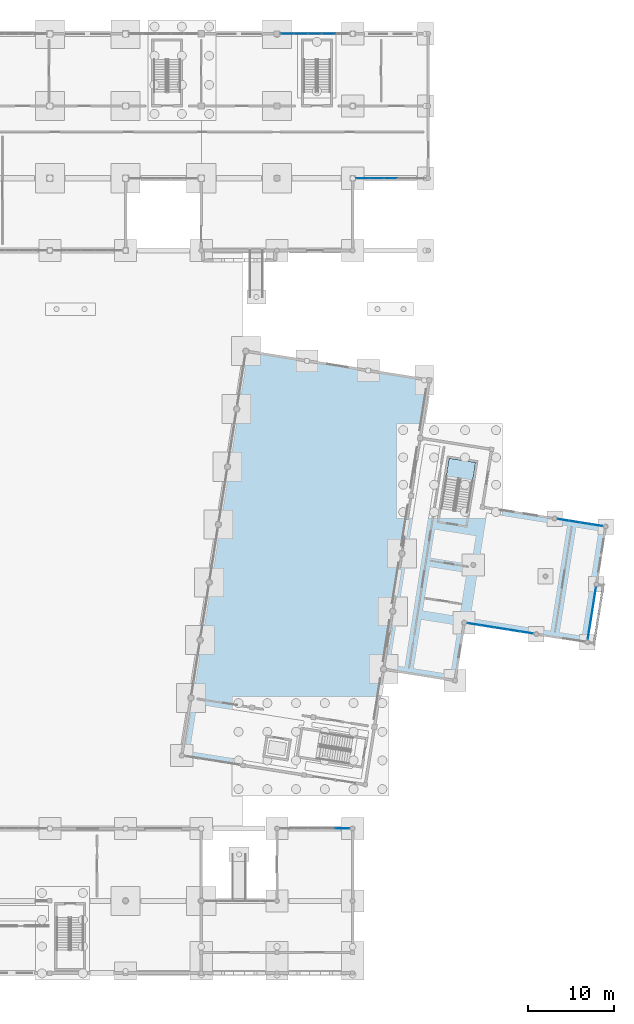
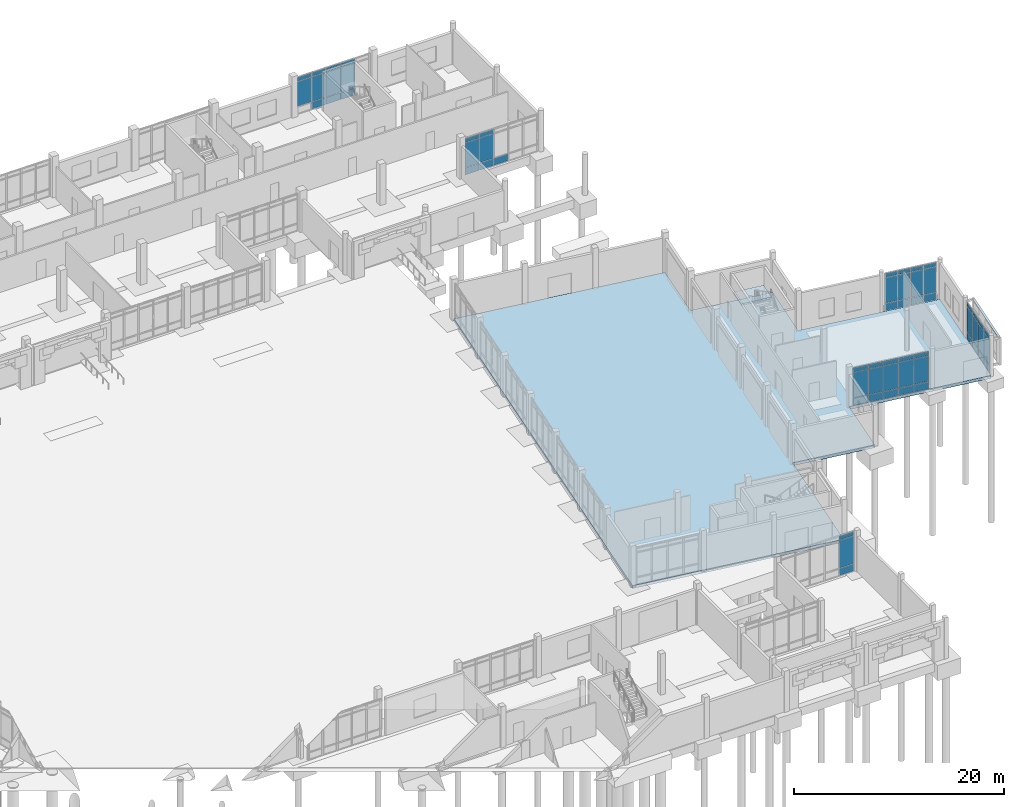
# One storey, part 39 of 72: 61 plates, 2 slabs, 7 elements without a shape of their own.
"""IFC4 building model written with IfcOpenShell, lengths in metres."""

from ifc_helpers import new_model, si_unit, direction, frame, origin, origin_2d, place, context, subcontext, project, spatial, polyline, rectangle, outline, extrude, material, layer, layer_set, type_object, element, aggregate, save


model = new_model("IFC4")

# Units and contexts
model_context = context("Model", 3, precision=1e-05, world=origin(), true_north=direction((0.0, 1.0)))
body_context = subcontext(model_context, "Body", "Model", "MODEL_VIEW")
ifc_project = project(units=[si_unit("LENGTHUNIT", "METRE"), si_unit("AREAUNIT", "SQUARE_METRE"), si_unit("VOLUMEUNIT", "CUBIC_METRE"), si_unit("PLANEANGLEUNIT", "RADIAN"), si_unit("MASSUNIT", "GRAM", prefix="KILO")], contexts=[model_context])

# Site, building, storey
site_placement = place(None, origin())
site = spatial("IfcSite", under=ifc_project, at=site_placement, CompositionType="ELEMENT")
building_placement = place(site_placement, origin())
building = spatial("IfcBuilding", under=site, at=building_placement, Name="Cinderway Yard Community Centre", CompositionType="ELEMENT")
storey_placement = place(building_placement, origin())
storey = spatial("IfcBuildingStorey", under=building, at=storey_placement, Name="L00", CompositionType="ELEMENT", Elevation=0.0)

# Curtain wall, plates
ifc_material_1 = material(Name="Aluminium 6063-T6", Category="aluminium")
curtain_wall_type_1 = type_object("IfcCurtainWallType", Name="ENV-CW-TYPE-20", PredefinedType="USERDEFINED", material=ifc_material_1)
curtain_wall_1_placement = place(storey_placement, origin())
curtain_wall_1 = element("IfcCurtainWall", 1, at=curtain_wall_1_placement, inside=storey, type_object=curtain_wall_type_1, Name="East Entrance Pavilion Curtain Wall ENV-CW-L00-ST-0069", ObjectType="GLAZED CURTAIN WALL", PredefinedType="USERDEFINED")
ifc_material_2 = material(Name="Laminated Low-E Glass", Category="glass")
ifc_layer_1 = layer(ifc_material_2, 0.028076171875, Name="Laminated Low-E Glass")
ifc_layer_set_1 = layer_set([ifc_layer_1], Name="Laminated Low-E Glass")
plate_type_1 = type_object("IfcPlateType", Name="ENV-CW-PAN-IGU28", PredefinedType="CURTAIN_PANEL", material=ifc_layer_set_1)
plate_1_placement = place(storey_placement, frame((150.88916015625, 46.560546875, 0.06005859375), z_axis=(0.0, 0.0, 1.0), x_axis=(0.987692177817, -0.156410235851, 0.0)))
plate_1 = element("IfcPlate", 2, at=plate_1_placement, type_object=plate_type_1, Name="CW-20 panel 1.1", PredefinedType="CURTAIN_PANEL", context=body_context, shape_type="SweptSolid", body=[
    extrude(rectangle(XDim=1.469970703125, YDim=0.028076171875, at=origin_2d()), origin(), (0.0, 0.0, 1.0), 0.81005859375),
])
plate_2_placement = place(storey_placement, frame((150.88916015625, 46.560546875, 0.929931640625), z_axis=(0.0, 0.0, 1.0), x_axis=(0.987692177817, -0.156410235851, 0.0)))
plate_2 = element("IfcPlate", 3, at=plate_2_placement, type_object=plate_type_1, Name="CW-20 panel 1.2", PredefinedType="CURTAIN_PANEL", context=body_context, shape_type="SweptSolid", body=[
    extrude(rectangle(XDim=1.469970703125, YDim=0.028076171875, at=origin_2d()), origin(), (0.0, 0.0, 1.0), 2.93994140625),
])
plate_3_placement = place(storey_placement, frame((150.88916015625, 46.560546875, 3.929931640625), z_axis=(0.0, 0.0, 1.0), x_axis=(0.987692177817, -0.156410235851, 0.0)))
plate_3 = element("IfcPlate", 4, at=plate_3_placement, type_object=plate_type_1, Name="CW-20 panel 1.3", PredefinedType="CURTAIN_PANEL", context=body_context, shape_type="SweptSolid", body=[
    extrude(rectangle(XDim=1.469970703125, YDim=0.028076171875, at=origin_2d()), origin(), (0.0, 0.0, 1.0), 0.4599609375),
])
plate_4_placement = place(storey_placement, frame((152.415283203125, 46.319091796875, 0.06005859375), z_axis=(0.0, 0.0, 1.0), x_axis=(0.987692177817, -0.156410235851, 0.0)))
plate_4 = element("IfcPlate", 5, at=plate_4_placement, type_object=plate_type_1, Name="CW-20 panel 2.1", PredefinedType="CURTAIN_PANEL", context=body_context, shape_type="SweptSolid", body=[
    extrude(rectangle(XDim=1.5, YDim=0.028076171875, at=origin_2d()), origin(), (0.0, 0.0, 1.0), 0.81005859375),
])
plate_5_placement = place(storey_placement, frame((152.415283203125, 46.319091796875, 0.929931640625), z_axis=(0.0, 0.0, 1.0), x_axis=(0.987692177817, -0.156410235851, 0.0)))
plate_5 = element("IfcPlate", 6, at=plate_5_placement, type_object=plate_type_1, Name="CW-20 panel 2.2", PredefinedType="CURTAIN_PANEL", context=body_context, shape_type="SweptSolid", body=[
    extrude(rectangle(XDim=1.5, YDim=0.028076171875, at=origin_2d()), origin(), (0.0, 0.0, 1.0), 2.93994140625),
])
plate_6_placement = place(storey_placement, frame((152.415283203125, 46.319091796875, 3.929931640625), z_axis=(0.0, 0.0, 1.0), x_axis=(0.987692177817, -0.156410235851, 0.0)))
plate_6 = element("IfcPlate", 7, at=plate_6_placement, type_object=plate_type_1, Name="CW-20 panel 2.3", PredefinedType="CURTAIN_PANEL", context=body_context, shape_type="SweptSolid", body=[
    extrude(rectangle(XDim=1.5, YDim=0.028076171875, at=origin_2d()), origin(), (0.0, 0.0, 1.0), 0.4599609375),
])
plate_7_placement = place(storey_placement, frame((153.9560546875, 46.074951171875, 0.06005859375), z_axis=(0.0, 0.0, 1.0), x_axis=(0.987692177817, -0.156410235851, 0.0)))
plate_7 = element("IfcPlate", 8, at=plate_7_placement, type_object=plate_type_1, Name="CW-20 panel 3.1", PredefinedType="CURTAIN_PANEL", context=body_context, shape_type="SweptSolid", body=[
    extrude(rectangle(XDim=1.5, YDim=0.028076171875, at=origin_2d()), origin(), (0.0, 0.0, 1.0), 0.81005859375),
])
plate_8_placement = place(storey_placement, frame((153.9560546875, 46.074951171875, 0.929931640625), z_axis=(0.0, 0.0, 1.0), x_axis=(0.987692177817, -0.156410235851, 0.0)))
plate_8 = element("IfcPlate", 9, at=plate_8_placement, type_object=plate_type_1, Name="CW-20 panel 3.2", PredefinedType="CURTAIN_PANEL", context=body_context, shape_type="SweptSolid", body=[
    extrude(rectangle(XDim=1.5, YDim=0.028076171875, at=origin_2d()), origin(), (0.0, 0.0, 1.0), 2.93994140625),
])
plate_9_placement = place(storey_placement, frame((153.9560546875, 46.074951171875, 3.929931640625), z_axis=(0.0, 0.0, 1.0), x_axis=(0.987692177817, -0.156410235851, 0.0)))
plate_9 = element("IfcPlate", 10, at=plate_9_placement, type_object=plate_type_1, Name="CW-20 panel 3.3", PredefinedType="CURTAIN_PANEL", context=body_context, shape_type="SweptSolid", body=[
    extrude(rectangle(XDim=1.5, YDim=0.028076171875, at=origin_2d()), origin(), (0.0, 0.0, 1.0), 0.4599609375),
])
plate_10_placement = place(storey_placement, frame((155.496826171875, 45.8310546875, 0.06005859375), z_axis=(0.0, 0.0, 1.0), x_axis=(0.987692177817, -0.156410235851, 0.0)))
plate_10 = element("IfcPlate", 11, at=plate_10_placement, type_object=plate_type_1, Name="CW-20 panel 4.1", PredefinedType="CURTAIN_PANEL", context=body_context, shape_type="SweptSolid", body=[
    extrude(rectangle(XDim=1.5, YDim=0.028076171875, at=origin_2d()), origin(), (0.0, 0.0, 1.0), 0.81005859375),
])
plate_11_placement = place(storey_placement, frame((155.496826171875, 45.8310546875, 0.929931640625), z_axis=(0.0, 0.0, 1.0), x_axis=(0.987692177817, -0.156410235851, 0.0)))
plate_11 = element("IfcPlate", 12, at=plate_11_placement, type_object=plate_type_1, Name="CW-20 panel 4.2", PredefinedType="CURTAIN_PANEL", context=body_context, shape_type="SweptSolid", body=[
    extrude(rectangle(XDim=1.5, YDim=0.028076171875, at=origin_2d()), origin(), (0.0, 0.0, 1.0), 2.93994140625),
])
plate_12_placement = place(storey_placement, frame((155.496826171875, 45.8310546875, 3.929931640625), z_axis=(0.0, 0.0, 1.0), x_axis=(0.987692177817, -0.156410235851, 0.0)))
plate_12 = element("IfcPlate", 13, at=plate_12_placement, type_object=plate_type_1, Name="CW-20 panel 4.3", PredefinedType="CURTAIN_PANEL", context=body_context, shape_type="SweptSolid", body=[
    extrude(rectangle(XDim=1.5, YDim=0.028076171875, at=origin_2d()), origin(), (0.0, 0.0, 1.0), 0.4599609375),
])
plate_13_placement = place(storey_placement, frame((157.022705078125, 45.58935546875, 0.06005859375), z_axis=(0.0, 0.0, 1.0), x_axis=(0.987692177817, -0.156410235851, 0.0)))
plate_13 = element("IfcPlate", 14, at=plate_13_placement, type_object=plate_type_1, Name="CW-20 panel 5.1", PredefinedType="CURTAIN_PANEL", context=body_context, shape_type="SweptSolid", body=[
    extrude(rectangle(XDim=1.469970703125, YDim=0.028076171875, at=origin_2d()), origin(), (0.0, 0.0, 1.0), 0.81005859375),
])
plate_14_placement = place(storey_placement, frame((157.022705078125, 45.58935546875, 0.929931640625), z_axis=(0.0, 0.0, 1.0), x_axis=(0.987692177817, -0.156410235851, 0.0)))
plate_14 = element("IfcPlate", 15, at=plate_14_placement, type_object=plate_type_1, Name="CW-20 panel 5.2", PredefinedType="CURTAIN_PANEL", context=body_context, shape_type="SweptSolid", body=[
    extrude(rectangle(XDim=1.469970703125, YDim=0.028076171875, at=origin_2d()), origin(), (0.0, 0.0, 1.0), 2.93994140625),
])
plate_15_placement = place(storey_placement, frame((157.022705078125, 45.58935546875, 3.929931640625), z_axis=(0.0, 0.0, 1.0), x_axis=(0.987692177817, -0.156410235851, 0.0)))
plate_15 = element("IfcPlate", 16, at=plate_15_placement, type_object=plate_type_1, Name="CW-20 panel 5.3", PredefinedType="CURTAIN_PANEL", context=body_context, shape_type="SweptSolid", body=[
    extrude(rectangle(XDim=1.469970703125, YDim=0.028076171875, at=origin_2d()), origin(), (0.0, 0.0, 1.0), 0.4599609375),
])
aggregate(curtain_wall_1, [plate_1, plate_2, plate_3, plate_4, plate_5, plate_6, plate_7, plate_8, plate_9, plate_10, plate_11, plate_12, plate_13, plate_14, plate_15])

curtain_wall_type_2 = type_object("IfcCurtainWallType", Name="ENV-CW-TYPE-21", PredefinedType="USERDEFINED", material=ifc_material_1)
curtain_wall_2_placement = place(storey_placement, origin())
curtain_wall_2 = element("IfcCurtainWall", 17, at=curtain_wall_2_placement, inside=storey, type_object=curtain_wall_type_2, Name="East Entrance Pavilion Curtain Wall ENV-CW-L00-ST-0070", ObjectType="GLAZED CURTAIN WALL", PredefinedType="USERDEFINED")
plate_16_placement = place(storey_placement, frame((164.25634765625, 45.5849609375, 0.06005859375), z_axis=(0.0, 0.0, 1.0), x_axis=(0.156231956025, 0.987720393592, 0.0)))
plate_16 = element("IfcPlate", 18, at=plate_16_placement, type_object=plate_type_1, Name="CW-21 panel 1.1", PredefinedType="CURTAIN_PANEL", context=body_context, shape_type="SweptSolid", body=[
    extrude(rectangle(XDim=1.43505859375, YDim=0.028076171875, at=origin_2d()), origin(), (0.0, 0.0, 1.0), 0.81005859375),
])
plate_17_placement = place(storey_placement, frame((164.25634765625, 45.5849609375, 0.929931640625), z_axis=(0.0, 0.0, 1.0), x_axis=(0.156231956025, 0.987720393592, 0.0)))
plate_17 = element("IfcPlate", 19, at=plate_17_placement, type_object=plate_type_1, Name="CW-21 panel 1.2", PredefinedType="CURTAIN_PANEL", context=body_context, shape_type="SweptSolid", body=[
    extrude(rectangle(XDim=1.43505859375, YDim=0.028076171875, at=origin_2d()), origin(), (0.0, 0.0, 1.0), 2.93994140625),
])
plate_18_placement = place(storey_placement, frame((164.25634765625, 45.5849609375, 3.929931640625), z_axis=(0.0, 0.0, 1.0), x_axis=(0.156231956025, 0.987720393592, 0.0)))
plate_18 = element("IfcPlate", 20, at=plate_18_placement, type_object=plate_type_1, Name="CW-21 panel 1.3", PredefinedType="CURTAIN_PANEL", context=body_context, shape_type="SweptSolid", body=[
    extrude(rectangle(XDim=1.43505859375, YDim=0.028076171875, at=origin_2d()), origin(), (0.0, 0.0, 1.0), 0.4599609375),
])
plate_19_placement = place(storey_placement, frame((164.492431640625, 47.076416015625, 0.06005859375), z_axis=(0.0, 0.0, 1.0), x_axis=(0.156231956025, 0.987720393592, 0.0)))
plate_19 = element("IfcPlate", 21, at=plate_19_placement, type_object=plate_type_1, Name="CW-21 panel 2.1", PredefinedType="CURTAIN_PANEL", context=body_context, shape_type="SweptSolid", body=[
    extrude(rectangle(XDim=1.465087890625, YDim=0.028076171875, at=origin_2d()), origin(), (0.0, 0.0, 1.0), 0.81005859375),
])
plate_20_placement = place(storey_placement, frame((164.492431640625, 47.076416015625, 0.929931640625), z_axis=(0.0, 0.0, 1.0), x_axis=(0.156231956025, 0.987720393592, 0.0)))
plate_20 = element("IfcPlate", 22, at=plate_20_placement, type_object=plate_type_1, Name="CW-21 panel 2.2", PredefinedType="CURTAIN_PANEL", context=body_context, shape_type="SweptSolid", body=[
    extrude(rectangle(XDim=1.465087890625, YDim=0.028076171875, at=origin_2d()), origin(), (0.0, 0.0, 1.0), 2.93994140625),
])
plate_21_placement = place(storey_placement, frame((164.492431640625, 47.076416015625, 3.929931640625), z_axis=(0.0, 0.0, 1.0), x_axis=(0.156231956025, 0.987720393592, 0.0)))
plate_21 = element("IfcPlate", 23, at=plate_21_placement, type_object=plate_type_1, Name="CW-21 panel 2.3", PredefinedType="CURTAIN_PANEL", context=body_context, shape_type="SweptSolid", body=[
    extrude(rectangle(XDim=1.465087890625, YDim=0.028076171875, at=origin_2d()), origin(), (0.0, 0.0, 1.0), 0.4599609375),
])
plate_22_placement = place(storey_placement, frame((164.730712890625, 48.58251953125, 0.06005859375), z_axis=(0.0, 0.0, 1.0), x_axis=(0.156231956025, 0.987720393592, 0.0)))
plate_22 = element("IfcPlate", 24, at=plate_22_placement, type_object=plate_type_1, Name="CW-21 panel 3.1", PredefinedType="CURTAIN_PANEL", context=body_context, shape_type="SweptSolid", body=[
    extrude(rectangle(XDim=1.465087890625, YDim=0.028076171875, at=origin_2d()), origin(), (0.0, 0.0, 1.0), 0.81005859375),
])
plate_23_placement = place(storey_placement, frame((164.730712890625, 48.58251953125, 0.929931640625), z_axis=(0.0, 0.0, 1.0), x_axis=(0.156231956025, 0.987720393592, 0.0)))
plate_23 = element("IfcPlate", 25, at=plate_23_placement, type_object=plate_type_1, Name="CW-21 panel 3.2", PredefinedType="CURTAIN_PANEL", context=body_context, shape_type="SweptSolid", body=[
    extrude(rectangle(XDim=1.465087890625, YDim=0.028076171875, at=origin_2d()), origin(), (0.0, 0.0, 1.0), 2.93994140625),
])
plate_24_placement = place(storey_placement, frame((164.730712890625, 48.58251953125, 3.929931640625), z_axis=(0.0, 0.0, 1.0), x_axis=(0.156231956025, 0.987720393592, 0.0)))
plate_24 = element("IfcPlate", 26, at=plate_24_placement, type_object=plate_type_1, Name="CW-21 panel 3.3", PredefinedType="CURTAIN_PANEL", context=body_context, shape_type="SweptSolid", body=[
    extrude(rectangle(XDim=1.465087890625, YDim=0.028076171875, at=origin_2d()), origin(), (0.0, 0.0, 1.0), 0.4599609375),
])
plate_25_placement = place(storey_placement, frame((164.966552734375, 50.073974609375, 0.06005859375), z_axis=(0.0, 0.0, 1.0), x_axis=(0.156231956025, 0.987720393592, 0.0)))
plate_25 = element("IfcPlate", 27, at=plate_25_placement, type_object=plate_type_1, Name="CW-21 panel 4.1", PredefinedType="CURTAIN_PANEL", context=body_context, shape_type="SweptSolid", body=[
    extrude(rectangle(XDim=1.43505859375, YDim=0.028076171875, at=origin_2d()), origin(), (0.0, 0.0, 1.0), 0.81005859375),
])
plate_26_placement = place(storey_placement, frame((164.966552734375, 50.073974609375, 0.929931640625), z_axis=(0.0, 0.0, 1.0), x_axis=(0.156231956025, 0.987720393592, 0.0)))
plate_26 = element("IfcPlate", 28, at=plate_26_placement, type_object=plate_type_1, Name="CW-21 panel 4.2", PredefinedType="CURTAIN_PANEL", context=body_context, shape_type="SweptSolid", body=[
    extrude(rectangle(XDim=1.43505859375, YDim=0.028076171875, at=origin_2d()), origin(), (0.0, 0.0, 1.0), 2.93994140625),
])
plate_27_placement = place(storey_placement, frame((164.966552734375, 50.073974609375, 3.929931640625), z_axis=(0.0, 0.0, 1.0), x_axis=(0.156231956025, 0.987720393592, 0.0)))
plate_27 = element("IfcPlate", 29, at=plate_27_placement, type_object=plate_type_1, Name="CW-21 panel 4.3", PredefinedType="CURTAIN_PANEL", context=body_context, shape_type="SweptSolid", body=[
    extrude(rectangle(XDim=1.43505859375, YDim=0.028076171875, at=origin_2d()), origin(), (0.0, 0.0, 1.0), 0.4599609375),
])
aggregate(curtain_wall_2, [plate_16, plate_17, plate_18, plate_19, plate_20, plate_21, plate_22, plate_23, plate_24, plate_25, plate_26, plate_27])

curtain_wall_type_3 = type_object("IfcCurtainWallType", Name="ENV-CW-TYPE-22", PredefinedType="USERDEFINED", material=ifc_material_1)
curtain_wall_3_placement = place(storey_placement, origin())
curtain_wall_3 = element("IfcCurtainWall", 30, at=curtain_wall_3_placement, inside=storey, type_object=curtain_wall_type_3, Name="East Entrance Pavilion Curtain Wall ENV-CW-L00-ST-0071", ObjectType="GLAZED CURTAIN WALL", PredefinedType="USERDEFINED")
plate_28_placement = place(storey_placement, frame((161.296142578125, 58.68115234375, 0.06005859375), z_axis=(0.0, 0.0, 1.0), x_axis=(0.987717019702, -0.156253284735, 0.0)))
plate_28 = element("IfcPlate", 31, at=plate_28_placement, type_object=plate_type_1, Name="CW-22 panel 1.1", PredefinedType="CURTAIN_PANEL", context=body_context, shape_type="SweptSolid", body=[
    extrude(rectangle(XDim=1.23486328125, YDim=0.028076171875, at=origin_2d()), origin(), (0.0, 0.0, 1.0), 0.81005859375),
])
plate_29_placement = place(storey_placement, frame((161.296142578125, 58.68115234375, 0.929931640625), z_axis=(0.0, 0.0, 1.0), x_axis=(0.987717019702, -0.156253284735, 0.0)))
plate_29 = element("IfcPlate", 32, at=plate_29_placement, type_object=plate_type_1, Name="CW-22 panel 1.2", PredefinedType="CURTAIN_PANEL", context=body_context, shape_type="SweptSolid", body=[
    extrude(rectangle(XDim=1.23486328125, YDim=0.028076171875, at=origin_2d()), origin(), (0.0, 0.0, 1.0), 2.93994140625),
])
plate_30_placement = place(storey_placement, frame((161.296142578125, 58.68115234375, 3.929931640625), z_axis=(0.0, 0.0, 1.0), x_axis=(0.987717019702, -0.156253284735, 0.0)))
plate_30 = element("IfcPlate", 33, at=plate_30_placement, type_object=plate_type_1, Name="CW-22 panel 1.3", PredefinedType="CURTAIN_PANEL", context=body_context, shape_type="SweptSolid", body=[
    extrude(rectangle(XDim=1.23486328125, YDim=0.028076171875, at=origin_2d()), origin(), (0.0, 0.0, 1.0), 0.4599609375),
])
plate_31_placement = place(storey_placement, frame((162.58984375, 58.4765625, 0.06005859375), z_axis=(0.0, 0.0, 1.0), x_axis=(0.987717019702, -0.156253284735, 0.0)))
plate_31 = element("IfcPlate", 34, at=plate_31_placement, type_object=plate_type_1, Name="CW-22 panel 2.1", PredefinedType="CURTAIN_PANEL", context=body_context, shape_type="SweptSolid", body=[
    extrude(rectangle(XDim=1.264892578125, YDim=0.028076171875, at=origin_2d()), origin(), (0.0, 0.0, 1.0), 0.81005859375),
])
plate_32_placement = place(storey_placement, frame((162.58984375, 58.4765625, 0.929931640625), z_axis=(0.0, 0.0, 1.0), x_axis=(0.987717019702, -0.156253284735, 0.0)))
plate_32 = element("IfcPlate", 35, at=plate_32_placement, type_object=plate_type_1, Name="CW-22 panel 2.2", PredefinedType="CURTAIN_PANEL", context=body_context, shape_type="SweptSolid", body=[
    extrude(rectangle(XDim=1.264892578125, YDim=0.028076171875, at=origin_2d()), origin(), (0.0, 0.0, 1.0), 2.93994140625),
])
plate_33_placement = place(storey_placement, frame((162.58984375, 58.4765625, 3.929931640625), z_axis=(0.0, 0.0, 1.0), x_axis=(0.987717019702, -0.156253284735, 0.0)))
plate_33 = element("IfcPlate", 36, at=plate_33_placement, type_object=plate_type_1, Name="CW-22 panel 2.3", PredefinedType="CURTAIN_PANEL", context=body_context, shape_type="SweptSolid", body=[
    extrude(rectangle(XDim=1.264892578125, YDim=0.028076171875, at=origin_2d()), origin(), (0.0, 0.0, 1.0), 0.4599609375),
])
plate_34_placement = place(storey_placement, frame((163.898193359375, 58.26953125, 0.06005859375), z_axis=(0.0, 0.0, 1.0), x_axis=(0.987717019702, -0.156253284735, 0.0)))
plate_34 = element("IfcPlate", 37, at=plate_34_placement, type_object=plate_type_1, Name="CW-22 panel 3.1", PredefinedType="CURTAIN_PANEL", context=body_context, shape_type="SweptSolid", body=[
    extrude(rectangle(XDim=1.264892578125, YDim=0.028076171875, at=origin_2d()), origin(), (0.0, 0.0, 1.0), 0.81005859375),
])
plate_35_placement = place(storey_placement, frame((163.898193359375, 58.26953125, 0.929931640625), z_axis=(0.0, 0.0, 1.0), x_axis=(0.987717019702, -0.156253284735, 0.0)))
plate_35 = element("IfcPlate", 38, at=plate_35_placement, type_object=plate_type_1, Name="CW-22 panel 3.2", PredefinedType="CURTAIN_PANEL", context=body_context, shape_type="SweptSolid", body=[
    extrude(rectangle(XDim=1.264892578125, YDim=0.028076171875, at=origin_2d()), origin(), (0.0, 0.0, 1.0), 2.93994140625),
])
plate_36_placement = place(storey_placement, frame((163.898193359375, 58.26953125, 3.929931640625), z_axis=(0.0, 0.0, 1.0), x_axis=(0.987717019702, -0.156253284735, 0.0)))
plate_36 = element("IfcPlate", 39, at=plate_36_placement, type_object=plate_type_1, Name="CW-22 panel 3.3", PredefinedType="CURTAIN_PANEL", context=body_context, shape_type="SweptSolid", body=[
    extrude(rectangle(XDim=1.264892578125, YDim=0.028076171875, at=origin_2d()), origin(), (0.0, 0.0, 1.0), 0.4599609375),
])
plate_37_placement = place(storey_placement, frame((165.19189453125, 58.06494140625, 0.06005859375), z_axis=(0.0, 0.0, 1.0), x_axis=(0.987717019702, -0.156253284735, 0.0)))
plate_37 = element("IfcPlate", 40, at=plate_37_placement, type_object=plate_type_1, Name="CW-22 panel 4.1", PredefinedType="CURTAIN_PANEL", context=body_context, shape_type="SweptSolid", body=[
    extrude(rectangle(XDim=1.23486328125, YDim=0.028076171875, at=origin_2d()), origin(), (0.0, 0.0, 1.0), 0.81005859375),
])
plate_38_placement = place(storey_placement, frame((165.19189453125, 58.06494140625, 0.929931640625), z_axis=(0.0, 0.0, 1.0), x_axis=(0.987717019702, -0.156253284735, 0.0)))
plate_38 = element("IfcPlate", 41, at=plate_38_placement, type_object=plate_type_1, Name="CW-22 panel 4.2", PredefinedType="CURTAIN_PANEL", context=body_context, shape_type="SweptSolid", body=[
    extrude(rectangle(XDim=1.23486328125, YDim=0.028076171875, at=origin_2d()), origin(), (0.0, 0.0, 1.0), 2.93994140625),
])
plate_39_placement = place(storey_placement, frame((165.19189453125, 58.06494140625, 3.929931640625), z_axis=(0.0, 0.0, 1.0), x_axis=(0.987717019702, -0.156253284735, 0.0)))
plate_39 = element("IfcPlate", 42, at=plate_39_placement, type_object=plate_type_1, Name="CW-22 panel 4.3", PredefinedType="CURTAIN_PANEL", context=body_context, shape_type="SweptSolid", body=[
    extrude(rectangle(XDim=1.23486328125, YDim=0.028076171875, at=origin_2d()), origin(), (0.0, 0.0, 1.0), 0.4599609375),
])
aggregate(curtain_wall_3, [plate_28, plate_29, plate_30, plate_31, plate_32, plate_33, plate_34, plate_35, plate_36, plate_37, plate_38, plate_39])

curtain_wall_type_4 = type_object("IfcCurtainWallType", Name="ENV-CW-TYPE-25", PredefinedType="USERDEFINED", material=ifc_material_1)
curtain_wall_4_placement = place(storey_placement, origin())
curtain_wall_4 = element("IfcCurtainWall", 43, at=curtain_wall_4_placement, inside=storey, type_object=curtain_wall_type_4, Name="V4 Courtyard Curtain Wall ENV-CW-L00-ST-0121", ObjectType="GLAZED CURTAIN WALL", PredefinedType="USERDEFINED")
plate_40_placement = place(storey_placement, frame((137.9990234375, 98.39990234375, 0.06005859375), z_axis=(0.0, 0.0, 1.0), x_axis=(1.0, 0.0, 0.0)))
plate_40 = element("IfcPlate", 44, at=plate_40_placement, type_object=plate_type_1, Name="CW-25 panel 1.1", PredefinedType="CURTAIN_PANEL", context=body_context, shape_type="SweptSolid", body=[
    extrude(rectangle(XDim=1.51806640625, YDim=0.028076171875, at=origin_2d()), origin(), (0.0, 0.0, 1.0), 0.81005859375),
])
plate_41_placement = place(storey_placement, frame((137.9990234375, 98.39990234375, 0.93017578125), z_axis=(0.0, 0.0, 1.0), x_axis=(1.0, 0.0, 0.0)))
plate_41 = element("IfcPlate", 45, at=plate_41_placement, type_object=plate_type_1, Name="CW-25 panel 1.2", PredefinedType="CURTAIN_PANEL", context=body_context, shape_type="SweptSolid", body=[
    extrude(rectangle(XDim=1.51806640625, YDim=0.028076171875, at=origin_2d()), origin(), (0.0, 0.0, 1.0), 2.840087890625),
])
plate_42_placement = place(storey_placement, frame((137.9990234375, 98.39990234375, 3.830078125), z_axis=(0.0, 0.0, 1.0), x_axis=(1.0, 0.0, 0.0)))
plate_42 = element("IfcPlate", 46, at=plate_42_placement, type_object=plate_type_1, Name="CW-25 panel 1.3", PredefinedType="CURTAIN_PANEL", context=body_context, shape_type="SweptSolid", body=[
    extrude(rectangle(XDim=1.51806640625, YDim=0.028076171875, at=origin_2d()), origin(), (0.0, 0.0, 1.0), 0.4599609375),
])
plate_43_placement = place(storey_placement, frame((139.592041015625, 98.39990234375, 0.06005859375), z_axis=(0.0, 0.0, 1.0), x_axis=(1.0, 0.0, 0.0)))
plate_43 = element("IfcPlate", 47, at=plate_43_placement, type_object=plate_type_1, Name="CW-25 panel 2.1", PredefinedType="CURTAIN_PANEL", context=body_context, shape_type="SweptSolid", body=[
    extrude(rectangle(XDim=1.548095703125, YDim=0.028076171875, at=origin_2d()), origin(), (0.0, 0.0, 1.0), 0.81005859375),
])
plate_44_placement = place(storey_placement, frame((139.592041015625, 98.39990234375, 0.93017578125), z_axis=(0.0, 0.0, 1.0), x_axis=(1.0, 0.0, 0.0)))
plate_44 = element("IfcPlate", 48, at=plate_44_placement, type_object=plate_type_1, Name="CW-25 panel 2.2", PredefinedType="CURTAIN_PANEL", context=body_context, shape_type="SweptSolid", body=[
    extrude(rectangle(XDim=1.548095703125, YDim=0.028076171875, at=origin_2d()), origin(), (0.0, 0.0, 1.0), 2.840087890625),
])
plate_45_placement = place(storey_placement, frame((139.592041015625, 98.39990234375, 3.830078125), z_axis=(0.0, 0.0, 1.0), x_axis=(1.0, 0.0, 0.0)))
plate_45 = element("IfcPlate", 49, at=plate_45_placement, type_object=plate_type_1, Name="CW-25 panel 2.3", PredefinedType="CURTAIN_PANEL", context=body_context, shape_type="SweptSolid", body=[
    extrude(rectangle(XDim=1.548095703125, YDim=0.028076171875, at=origin_2d()), origin(), (0.0, 0.0, 1.0), 0.4599609375),
])
plate_46_placement = place(storey_placement, frame((141.199951171875, 98.39990234375, 0.06005859375), z_axis=(0.0, 0.0, 1.0), x_axis=(1.0, 0.0, 0.0)))
plate_46 = element("IfcPlate", 50, at=plate_46_placement, type_object=plate_type_1, Name="CW-25 panel 3.1", PredefinedType="CURTAIN_PANEL", context=body_context, shape_type="SweptSolid", body=[
    extrude(rectangle(XDim=1.548095703125, YDim=0.028076171875, at=origin_2d()), origin(), (0.0, 0.0, 1.0), 0.81005859375),
])
aggregate(curtain_wall_4, [plate_40, plate_41, plate_42, plate_43, plate_44, plate_45, plate_46])

curtain_wall_type_5 = type_object("IfcCurtainWallType", Name="ENV-CW-TYPE-35", PredefinedType="USERDEFINED", material=ifc_material_1)
curtain_wall_5_placement = place(storey_placement, origin())
curtain_wall_5 = element("IfcCurtainWall", 51, at=curtain_wall_5_placement, inside=storey, type_object=curtain_wall_type_5, Name="East Arcade Kiosk Curtain Wall ENV-CW-L00-ST-0199", ObjectType="GLAZED CURTAIN WALL", PredefinedType="USERDEFINED")
plate_47_placement = place(storey_placement, frame((135.625, 22.800048828125, 0.06005859375), z_axis=(0.0, 0.0, 1.0), x_axis=(1.0, 0.0, 0.0)))
plate_47 = element("IfcPlate", 52, at=plate_47_placement, type_object=plate_type_1, Name="CW-35 panel 5.1", PredefinedType="CURTAIN_PANEL", context=body_context, shape_type="SweptSolid", body=[
    extrude(rectangle(XDim=1.530029296875, YDim=0.028076171875, at=origin_2d()), origin(), (0.0, 0.0, 1.0), 0.81005859375),
])
plate_48_placement = place(storey_placement, frame((135.625, 22.800048828125, 0.929931640625), z_axis=(0.0, 0.0, 1.0), x_axis=(1.0, 0.0, 0.0)))
plate_48 = element("IfcPlate", 53, at=plate_48_placement, type_object=plate_type_1, Name="CW-35 panel 5.2", PredefinedType="CURTAIN_PANEL", context=body_context, shape_type="SweptSolid", body=[
    extrude(rectangle(XDim=1.530029296875, YDim=0.028076171875, at=origin_2d()), origin(), (0.0, 0.0, 1.0), 3.18994140625),
])
plate_49_placement = place(storey_placement, frame((135.625, 22.800048828125, 4.179931640625), z_axis=(0.0, 0.0, 1.0), x_axis=(1.0, 0.0, 0.0)))
plate_49 = element("IfcPlate", 54, at=plate_49_placement, type_object=plate_type_1, Name="CW-35 panel 5.3", PredefinedType="CURTAIN_PANEL", context=body_context, shape_type="SweptSolid", body=[
    extrude(rectangle(XDim=1.530029296875, YDim=0.028076171875, at=origin_2d()), origin(), (0.0, 0.0, 1.0), 0.4599609375),
])
aggregate(curtain_wall_5, [plate_47, plate_48, plate_49])

curtain_wall_6_placement = place(storey_placement, origin())
curtain_wall_6 = element("IfcCurtainWall", 55, at=curtain_wall_6_placement, inside=storey, type_object=curtain_wall_type_4, Name="V4 Street Curtain Wall ENV-CW-L00-HS-0120", ObjectType="GLAZED CURTAIN WALL", PredefinedType="USERDEFINED")
ifc_layer_2 = layer(ifc_material_2, 0.031982421875, Name="Laminated Low-E Glass")
ifc_layer_set_2 = layer_set([ifc_layer_2], Name="Laminated Low-E Glass")
plate_type_2 = type_object("IfcPlateType", Name="ENV-CW-PAN-IGU32", PredefinedType="CURTAIN_PANEL", material=ifc_layer_set_2)
plate_50_placement = place(storey_placement, frame((129.198974609375, 115.199951171875, 0.93017578125), z_axis=(0.0, 0.0, 1.0), x_axis=(1.0, 0.0, 0.0)))
plate_50 = element("IfcPlate", 56, at=plate_50_placement, type_object=plate_type_2, Name="CW-25 panel 1.2", PredefinedType="CURTAIN_PANEL", context=body_context, shape_type="SweptSolid", body=[
    extrude(rectangle(XDim=1.51806640625, YDim=0.028076171875, at=origin_2d()), origin(), (0.0, 0.0, 1.0), 2.840087890625),
])
plate_51_placement = place(storey_placement, frame((129.198974609375, 115.199951171875, 3.830078125), z_axis=(0.0, 0.0, 1.0), x_axis=(1.0, 0.0, 0.0)))
plate_51 = element("IfcPlate", 57, at=plate_51_placement, type_object=plate_type_2, Name="CW-25 panel 1.3", PredefinedType="CURTAIN_PANEL", context=body_context, shape_type="SweptSolid", body=[
    extrude(rectangle(XDim=1.51806640625, YDim=0.028076171875, at=origin_2d()), origin(), (0.0, 0.0, 1.0), 0.4599609375),
])
plate_52_placement = place(storey_placement, frame((130.7919921875, 115.199951171875, 0.06005859375), z_axis=(0.0, 0.0, 1.0), x_axis=(1.0, 0.0, 0.0)))
plate_52 = element("IfcPlate", 58, at=plate_52_placement, type_object=plate_type_2, Name="CW-25 panel 2.1", PredefinedType="CURTAIN_PANEL", context=body_context, shape_type="SweptSolid", body=[
    extrude(rectangle(XDim=1.548095703125, YDim=0.028076171875, at=origin_2d()), origin(), (0.0, 0.0, 1.0), 0.81005859375),
])
plate_53_placement = place(storey_placement, frame((130.7919921875, 115.199951171875, 0.93017578125), z_axis=(0.0, 0.0, 1.0), x_axis=(1.0, 0.0, 0.0)))
plate_53 = element("IfcPlate", 59, at=plate_53_placement, type_object=plate_type_2, Name="CW-25 panel 2.2", PredefinedType="CURTAIN_PANEL", context=body_context, shape_type="SweptSolid", body=[
    extrude(rectangle(XDim=1.548095703125, YDim=0.028076171875, at=origin_2d()), origin(), (0.0, 0.0, 1.0), 2.840087890625),
])
plate_54_placement = place(storey_placement, frame((130.7919921875, 115.199951171875, 3.830078125), z_axis=(0.0, 0.0, 1.0), x_axis=(1.0, 0.0, 0.0)))
plate_54 = element("IfcPlate", 60, at=plate_54_placement, type_object=plate_type_2, Name="CW-25 panel 2.3", PredefinedType="CURTAIN_PANEL", context=body_context, shape_type="SweptSolid", body=[
    extrude(rectangle(XDim=1.548095703125, YDim=0.028076171875, at=origin_2d()), origin(), (0.0, 0.0, 1.0), 0.4599609375),
])
plate_55_placement = place(storey_placement, frame((132.39990234375, 115.199951171875, 0.06005859375), z_axis=(0.0, 0.0, 1.0), x_axis=(1.0, 0.0, 0.0)))
plate_55 = element("IfcPlate", 61, at=plate_55_placement, type_object=plate_type_2, Name="CW-25 panel 3.1", PredefinedType="CURTAIN_PANEL", context=body_context, shape_type="SweptSolid", body=[
    extrude(rectangle(XDim=1.548095703125, YDim=0.028076171875, at=origin_2d()), origin(), (0.0, 0.0, 1.0), 0.81005859375),
])
plate_56_placement = place(storey_placement, frame((132.39990234375, 115.199951171875, 0.93017578125), z_axis=(0.0, 0.0, 1.0), x_axis=(1.0, 0.0, 0.0)))
plate_56 = element("IfcPlate", 62, at=plate_56_placement, type_object=plate_type_2, Name="CW-25 panel 3.2", PredefinedType="CURTAIN_PANEL", context=body_context, shape_type="SweptSolid", body=[
    extrude(rectangle(XDim=1.548095703125, YDim=0.028076171875, at=origin_2d()), origin(), (0.0, 0.0, 1.0), 2.840087890625),
])
plate_57_placement = place(storey_placement, frame((132.39990234375, 115.199951171875, 3.830078125), z_axis=(0.0, 0.0, 1.0), x_axis=(1.0, 0.0, 0.0)))
plate_57 = element("IfcPlate", 63, at=plate_57_placement, type_object=plate_type_2, Name="CW-25 panel 3.3", PredefinedType="CURTAIN_PANEL", context=body_context, shape_type="SweptSolid", body=[
    extrude(rectangle(XDim=1.548095703125, YDim=0.028076171875, at=origin_2d()), origin(), (0.0, 0.0, 1.0), 0.4599609375),
])
plate_58_placement = place(storey_placement, frame((134.008056640625, 115.199951171875, 0.06005859375), z_axis=(0.0, 0.0, 1.0), x_axis=(1.0, 0.0, 0.0)))
plate_58 = element("IfcPlate", 64, at=plate_58_placement, type_object=plate_type_2, Name="CW-25 panel 4.1", PredefinedType="CURTAIN_PANEL", context=body_context, shape_type="SweptSolid", body=[
    extrude(rectangle(XDim=1.548095703125, YDim=0.028076171875, at=origin_2d()), origin(), (0.0, 0.0, 1.0), 0.81005859375),
])
plate_59_placement = place(storey_placement, frame((134.008056640625, 115.199951171875, 0.93017578125), z_axis=(0.0, 0.0, 1.0), x_axis=(1.0, 0.0, 0.0)))
plate_59 = element("IfcPlate", 65, at=plate_59_placement, type_object=plate_type_2, Name="CW-25 panel 4.2", PredefinedType="CURTAIN_PANEL", context=body_context, shape_type="SweptSolid", body=[
    extrude(rectangle(XDim=1.548095703125, YDim=0.028076171875, at=origin_2d()), origin(), (0.0, 0.0, 1.0), 2.840087890625),
])
plate_60_placement = place(storey_placement, frame((134.008056640625, 115.199951171875, 3.830078125), z_axis=(0.0, 0.0, 1.0), x_axis=(1.0, 0.0, 0.0)))
plate_60 = element("IfcPlate", 66, at=plate_60_placement, type_object=plate_type_2, Name="CW-25 panel 4.3", PredefinedType="CURTAIN_PANEL", context=body_context, shape_type="SweptSolid", body=[
    extrude(rectangle(XDim=1.548095703125, YDim=0.028076171875, at=origin_2d()), origin(), (0.0, 0.0, 1.0), 0.4599609375),
])
aggregate(curtain_wall_6, [plate_50, plate_51, plate_52, plate_53, plate_54, plate_55, plate_56, plate_57, plate_58, plate_59, plate_60])

# Plate
ifc_layer_3 = layer(ifc_material_1, 0.01611328125, Name="Aluminium 6063-T6")
ifc_layer_set_3 = layer_set([ifc_layer_3], Name="Aluminium 6063-T6")
plate_type_3 = type_object("IfcPlateType", Name="ENV-PLT-FASCIA16", PredefinedType="USERDEFINED", material=ifc_layer_set_3)
plate_61_placement = place(storey_placement, frame((165.40087890625, 47.7041015625, 4.31201171875), z_axis=(0.0, 0.0, 1.0), x_axis=(-0.15643446504, -0.987688340595, 0.0)))
element("IfcPlate", 67, at=plate_61_placement, inside=storey, type_object=plate_type_3, Name="Screen coping fascia 0148", ObjectType="FASCIA PLATE", PredefinedType="USERDEFINED", context=body_context, shape_type="SweptSolid", body=[
    extrude(rectangle(XDim=6.700927734375, YDim=0.260009765625, at=origin_2d()), origin(), (0.0, 0.0, 1.0), 0.01611328125),
])

# Stair, slab
ifc_material_3 = material(Name="Concrete C40/50", Category="concrete")
stair_type = type_object("IfcStairType", Name="INT-STR-480B", PredefinedType="HALF_TURN_STAIR", material=ifc_material_3)
stair_placement = place(storey_placement, origin())
stair = element("IfcStair", 68, at=stair_placement, inside=storey, type_object=stair_type, Name="L00 Core C4B Exit Stair ST-08", PredefinedType="HALF_TURN_STAIR")
ifc_layer_4 = layer(ifc_material_3, 0.199951171875, Name="Concrete C40/50")
ifc_layer_set_4 = layer_set([ifc_layer_4], Name="Concrete C40/50")
slab_type_1 = type_object("IfcSlabType", Name="INT-SLB-LND200", PredefinedType="LANDING", material=ifc_layer_set_4)
slab_1_placement = place(storey_placement, frame((0.0, 0.0, 2.199951171875)))
slab_1 = element("IfcSlab", 69, at=slab_1_placement, type_object=slab_type_1, Name="ST-08 landing 1", PredefinedType="LANDING", context=body_context, shape_type="SweptSolid", body=[
    extrude(outline(polyline([(150.751220703125, 63.2373046875), (151.087646484375, 65.36083984375), (148.006103515625, 65.848876953125), (147.669677734375, 63.725341796875), (150.751220703125, 63.2373046875)])), origin(), (0.0, 0.0, 1.0), 0.199951171875),
])
aggregate(stair, [slab_1])

# Slab
ifc_layer_5 = layer(ifc_material_3, 0.35009765625, Name="Concrete C40/50")
ifc_layer_set_5 = layer_set([ifc_layer_5], Name="Concrete C40/50")
slab_type_2 = type_object("IfcSlabType", Name="STR-SLAB-BASE-350", PredefinedType="BASESLAB", material=ifc_layer_set_5)
slab_2_placement = place(storey_placement, frame((0.0, 0.0, -0.35009765625)))
element("IfcSlab", 70, at=slab_2_placement, inside=storey, type_object=slab_type_2, Name="Sports Hall & Changing Ground Slab STR-SLAB-L00-002", PredefinedType="BASESLAB", context=body_context, shape_type="SweptSolid", body=[
    extrude(outline(polyline([(116.93603515625, 31.283935546875), (138.27001953125, 27.905029296875), (140.39794921875, 41.3369140625), (148.694091796875, 40.02294921875), (149.758056640625, 46.739990234375), (164.080078125, 44.470947265625), (166.20703125, 57.904052734375), (151.885986328125, 60.172119140625), (152.948974609375, 66.887939453125), (144.653076171875, 68.201904296875), (145.717041015625, 74.9189453125), (124.383056640625, 78.298095703125), (116.93603515625, 31.283935546875)])), origin(), (0.0, 0.0, 1.0), 0.35009765625),
])

save(model, "model.ifc")
